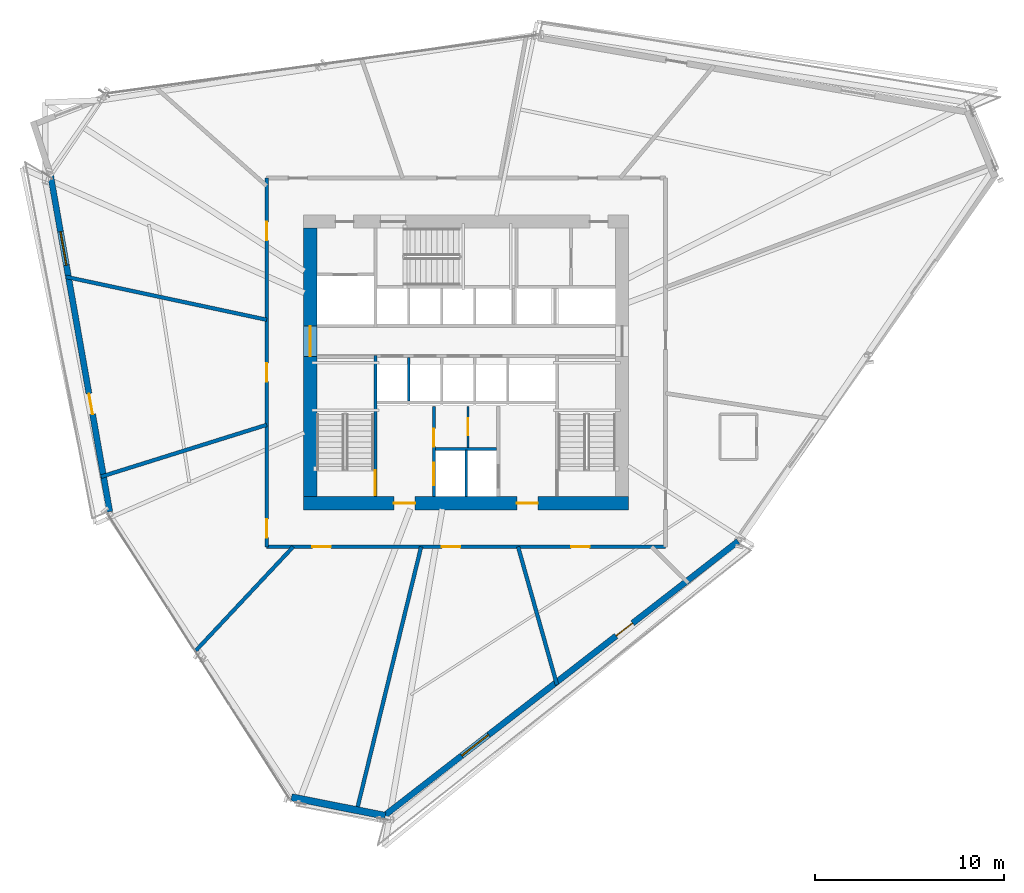
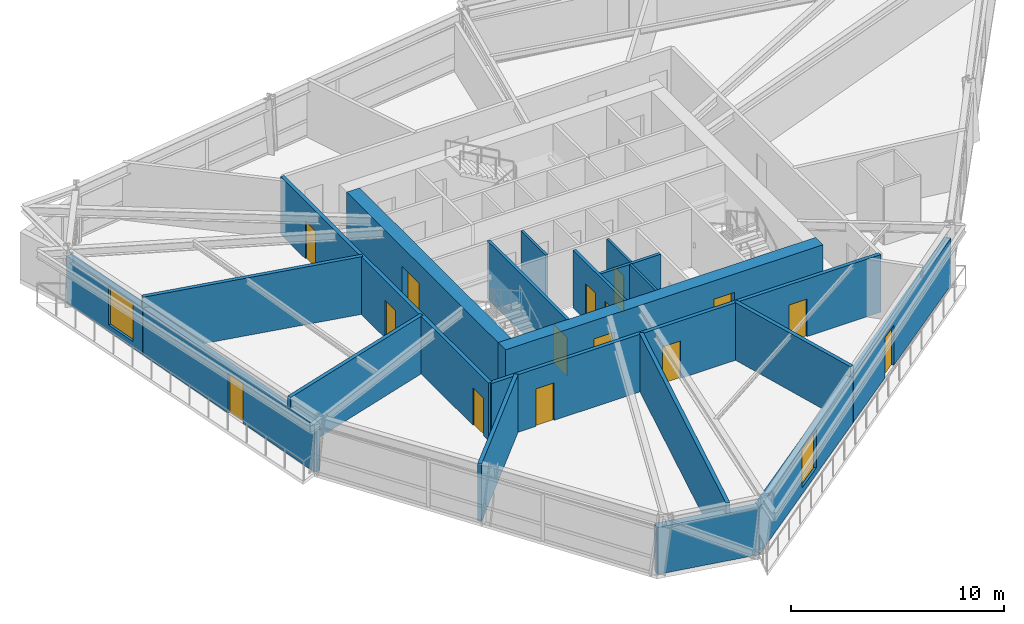
# One storey, part 11 of 16: 18 walls, 15 doors, 2 windows, 17 openings.
"""IFC4 building model written with IfcOpenShell, lengths in metres."""

from ifc_helpers import new_model, si_unit, direction, frame, frame_2d, origin, place, context, subcontext, project, spatial, rectangle, extrude, source, transform, mapped, material, layer, layer_set, type_object, type_shapes, element, fill, save


model = new_model("IFC4")

# Units and contexts
model_context = context("Model", 3, precision=1e-05, world=origin(), true_north=direction((0.0, 1.0)))
body_context = subcontext(model_context, "Body", "Model", "MODEL_VIEW")
ifc_project = project(units=[si_unit("LENGTHUNIT", "METRE"), si_unit("AREAUNIT", "SQUARE_METRE"), si_unit("VOLUMEUNIT", "CUBIC_METRE"), si_unit("PLANEANGLEUNIT", "RADIAN"), si_unit("MASSUNIT", "GRAM", prefix="KILO")], contexts=[model_context])

# Site, building, storey
site_placement = place(None, origin())
site = spatial("IfcSite", under=ifc_project, at=site_placement, CompositionType="ELEMENT")
building_placement = place(site_placement, origin())
building = spatial("IfcBuilding", under=site, at=building_placement, Name="Olszyna Solenne Hotel", CompositionType="ELEMENT")
storey_placement = place(building_placement, frame((0.0, 0.0, 127.0)))
storey = spatial("IfcBuildingStorey", under=building, at=storey_placement, Name="L33", CompositionType="ELEMENT", Elevation=127.0)

# Wall, openings, doors
ifc_material_1 = material(Name="Concrete C60/75", Category="concrete")
ifc_layer_1 = layer(ifc_material_1, 0.699951171875, Name="Concrete C60/75")
ifc_layer_set_1 = layer_set([ifc_layer_1], Name="Concrete C60/75")
wall_type_1 = type_object("IfcWallType", Name="WL-CR700", PredefinedType="SHEAR", material=ifc_layer_set_1)
wall_1_placement = place(storey_placement, frame((46.60009765625, 19.14990234375, 0.0), z_axis=(0.0, 0.0, 1.0), x_axis=(-1.0, 0.0, 0.0)))
wall_1 = element("IfcWall", 1, at=wall_1_placement, inside=storey, type_object=wall_type_1, Name="Core shear wall WL-CR700 CRW-L33-S", PredefinedType="SHEAR", context=body_context, shape_type="SweptSolid", body=[
    extrude(rectangle(XDim=17.2001953125, YDim=0.699951171875, at=frame_2d((8.60009765625, 0.0))), origin(), (0.0, 0.0, 1.0), 3.300048828125),
])
opening_1_placement = place(wall_1_placement, frame((4.800048828125, 0.0, 0.0)))
opening_1 = element("IfcOpeningElement", 2, at=opening_1_placement, cuts=wall_1, Name="Opening FL-L33-1", PredefinedType="OPENING", context=body_context, shape_type="SweptSolid", body=[
    extrude(rectangle(XDim=1.1201171875, YDim=2.25, at=frame_2d((0.56005859375, 1.125))), frame((0.0, 0.35986328125, 0.0), z_axis=(0.0, -1.0, 0.0), x_axis=(1.0, 0.0, 0.0)), (0.0, 0.0, 1.0), 0.719970703125),
])
opening_2_placement = place(wall_1_placement, frame((11.300048828125, 0.0, 0.0)))
opening_2 = element("IfcOpeningElement", 3, at=opening_2_placement, cuts=wall_1, Name="Opening FL-L33-2", PredefinedType="OPENING", context=body_context, shape_type="SweptSolid", body=[
    extrude(rectangle(XDim=1.1201171875, YDim=2.25, at=frame_2d((0.56005859375, 1.125))), frame((0.0, 0.35986328125, 0.0), z_axis=(0.0, -1.0, 0.0), x_axis=(1.0, 0.0, 0.0)), (0.0, 0.0, 1.0), 0.719970703125),
])
ifc_material_2 = material(Name="Steel S355J2", Category="steel")
door_type_1 = type_object("IfcDoorType", Name="DR-FL1", OperationType="NOTDEFINED", PredefinedType="DOOR", material=ifc_material_2)
shared_shape_1 = source(origin(), body_context, "Body", "SweptSolid", [
    extrude(rectangle(XDim=1.1201171875, YDim=2.25, at=frame_2d((0.56005859375, 1.125))), frame((0.0, 0.02490234375, 0.0), z_axis=(0.0, -1.0, 0.0), x_axis=(1.0, 0.0, 0.0)), (0.0, 0.0, 1.0), 0.050048828125),
])
type_shapes(door_type_1, [shared_shape_1])
door_1_placement = place(opening_1_placement, origin())
door_1 = element("IfcDoor", 4, at=door_1_placement, inside=storey, type_object=door_type_1, Name="Firefighting lift lobby smoke door FL-L33-1", OperationType="SINGLE_SWING_LEFT", OverallHeight=2.25, OverallWidth=1.1201171875, PredefinedType="DOOR", context=body_context, shape_type="MappedRepresentation", body=[
    mapped(shared_shape_1, transform((0.0, 0.0, 0.0), x_axis=(1.0, 0.0, 0.0), y_axis=(0.0, 1.0, 0.0), z_axis=(0.0, 0.0, 1.0), scale=1.0)),
])
fill(opening_1, door_1)
door_2_placement = place(opening_2_placement, origin())
door_2 = element("IfcDoor", 5, at=door_2_placement, inside=storey, type_object=door_type_1, Name="Firefighting lift lobby smoke door FL-L33-2", OperationType="SINGLE_SWING_RIGHT", OverallHeight=2.25, OverallWidth=1.1201171875, PredefinedType="DOOR", context=body_context, shape_type="MappedRepresentation", body=[
    mapped(shared_shape_1, transform((0.0, 0.0, 0.0), x_axis=(1.0, 0.0, 0.0), y_axis=(0.0, 1.0, 0.0), z_axis=(0.0, 0.0, 1.0), scale=1.0)),
])
fill(opening_2, door_2)

# Wall, opening, door
wall_2_placement = place(storey_placement, frame((29.75, 19.5, 0.0), z_axis=(0.0, 0.0, 1.0), x_axis=(0.0, 1.0, 0.0)))
wall_2 = element("IfcWall", 6, at=wall_2_placement, inside=storey, type_object=wall_type_1, Name="Core shear wall WL-CR700 CRW-L33-W", PredefinedType="SHEAR", context=body_context, shape_type="SweptSolid", body=[
    extrude(rectangle(XDim=14.199951171875, YDim=0.699951171875, at=frame_2d((7.10009765625, 0.0))), origin(), (0.0, 0.0, 1.0), 3.300048828125),
])
opening_3_placement = place(wall_2_placement, frame((7.419921875, 0.0, 0.0)))
opening_3 = element("IfcOpeningElement", 7, at=opening_3_placement, cuts=wall_2, Name="Opening LHD-L33-W", PredefinedType="OPENING", context=body_context, shape_type="SweptSolid", body=[
    extrude(rectangle(XDim=1.60009765625, YDim=2.199951171875, at=frame_2d((0.800048828125, 1.10009765625))), frame((0.0, 0.35986328125, 0.0), z_axis=(0.0, -1.0, 0.0), x_axis=(1.0, 0.0, 0.0)), (0.0, 0.0, 1.0), 0.719970703125),
])
ifc_material_3 = material(Name="Timber hardwood", Category="wood")
door_type_2 = type_object("IfcDoorType", Name="DR-CR1", OperationType="DOUBLE_DOOR_SINGLE_SWING", PredefinedType="DOOR", material=ifc_material_3)
shared_shape_2 = source(origin(), body_context, "Body", "SweptSolid", [
    extrude(rectangle(XDim=1.60009765625, YDim=2.199951171875, at=frame_2d((0.800048828125, 1.10009765625))), frame((0.0, 0.02490234375, 0.0), z_axis=(0.0, -1.0, 0.0), x_axis=(1.0, 0.0, 0.0)), (0.0, 0.0, 1.0), 0.050048828125),
])
type_shapes(door_type_2, [shared_shape_2])
door_3_placement = place(opening_3_placement, origin())
door_3 = element("IfcDoor", 8, at=door_3_placement, inside=storey, type_object=door_type_2, Name="Passenger lift lobby West fire door LHD-L33-W", OperationType="DOUBLE_DOOR_SINGLE_SWING", OverallHeight=2.199951171875, OverallWidth=1.60009765625, PredefinedType="DOOR", context=body_context, shape_type="MappedRepresentation", body=[
    mapped(shared_shape_2, transform((0.0, 0.0, 0.0), x_axis=(1.0, 0.0, 0.0), y_axis=(0.0, 1.0, 0.0), z_axis=(0.0, 0.0, 1.0), scale=1.0)),
])
fill(opening_3, door_3)

# Wall, openings, door, window
ifc_material_4 = material(Name="Precast concrete C45/55", Category="concrete")
ifc_layer_2 = layer(ifc_material_4, 0.320068359375, Name="Precast concrete C45/55")
ifc_layer_set_2 = layer_set([ifc_layer_2], Name="Precast concrete C45/55")
wall_type_2 = type_object("IfcWallType", Name="WL-EX320", PredefinedType="SOLIDWALL", material=ifc_layer_set_2)
wall_3_placement = place(storey_placement, frame((52.388427734375, 17.13623046875, 0.0), z_axis=(0.0, 0.0, 1.0), x_axis=(-0.790214020135, -0.612830973746, 0.0)))
wall_3 = element("IfcWall", 9, at=wall_3_placement, inside=storey, type_object=wall_type_2, Name="Exterior terracotta-precast frame wall WL-EX320 EW-L33-01", PredefinedType="SOLIDWALL", context=body_context, shape_type="SweptSolid", body=[
    extrude(rectangle(XDim=23.7900390625, YDim=0.320068359375, at=frame_2d((11.89501953125, 0.0))), origin(), (0.0, 0.0, 1.0), 2.69189453125),
])
opening_4_placement = place(wall_3_placement, frame((7.06298828125, 0.0, 0.0)))
opening_4 = element("IfcOpeningElement", 10, at=opening_4_placement, cuts=wall_3, Name="Opening LDG-L33-3", PredefinedType="OPENING", context=body_context, shape_type="SweptSolid", body=[
    extrude(rectangle(XDim=1.10009765625, YDim=2.300048828125, at=frame_2d((0.550048828125, 1.14990234375))), frame((0.0, 0.169921875, 0.0), z_axis=(0.0, -1.0, 0.0), x_axis=(1.0, 0.0, 0.0)), (0.0, 0.0, 1.0), 0.340087890625),
])
opening_5_placement = place(wall_3_placement, frame((16.705078125, 0.0, 0.3720703125)))
opening_5 = element("IfcOpeningElement", 11, at=opening_5_placement, cuts=wall_3, Name="Opening WN-L33-190", PredefinedType="OPENING", context=body_context, shape_type="SweptSolid", body=[
    extrude(rectangle(XDim=1.800048828125, YDim=2.199951171875, at=frame_2d((0.89990234375, 1.10009765625))), frame((0.0, 0.169921875, 0.0), z_axis=(0.0, -1.0, 0.0), x_axis=(1.0, 0.0, 0.0)), (0.0, 0.0, 1.0), 0.340087890625),
])
ifc_material_5 = material(Name="Anodised bronze aluminium", Category="aluminium")
door_type_3 = type_object("IfcDoorType", Name="DR-LG1", OperationType="NOTDEFINED", PredefinedType="DOOR", material=ifc_material_5)
shared_shape_3 = source(origin(), body_context, "Body", "SweptSolid", [
    extrude(rectangle(XDim=1.10009765625, YDim=2.300048828125, at=frame_2d((0.550048828125, 1.14990234375))), frame((0.0, 0.02490234375, 0.0), z_axis=(0.0, -1.0, 0.0), x_axis=(1.0, 0.0, 0.0)), (0.0, 0.0, 1.0), 0.050048828125),
])
type_shapes(door_type_3, [shared_shape_3])
door_4_placement = place(opening_4_placement, origin())
door_4 = element("IfcDoor", 12, at=door_4_placement, inside=storey, type_object=door_type_3, Name="Exterior loggia balcony door DR-LG1 LDG-L33-3", OperationType="SINGLE_SWING_LEFT", OverallHeight=2.300048828125, OverallWidth=1.10009765625, PredefinedType="DOOR", context=body_context, shape_type="MappedRepresentation", body=[
    mapped(shared_shape_3, transform((0.0, 0.0, 0.0), x_axis=(1.0, 0.0, 0.0), y_axis=(0.0, 1.0, 0.0), z_axis=(0.0, 0.0, 1.0), scale=1.0)),
])
fill(opening_4, door_4)
ifc_material_6 = material(Name="Low-E triple glazing", Category="glass")
window_type = type_object("IfcWindowType", Name="WN-HT1", PartitioningType="SINGLE_PANEL", PredefinedType="WINDOW", material=ifc_material_6)
shared_shape_4 = source(origin(), body_context, "Body", "SweptSolid", [
    extrude(rectangle(XDim=1.800048828125, YDim=2.199951171875, at=frame_2d((0.89990234375, 1.10009765625))), frame((0.0, 0.030029296875, 0.0), z_axis=(0.0, -1.0, 0.0), x_axis=(1.0, 0.0, 0.0)), (0.0, 0.0, 1.0), 0.06005859375),
])
type_shapes(window_type, [shared_shape_4])
window_1_placement = place(opening_5_placement, origin())
window_1 = element("IfcWindow", 13, at=window_1_placement, inside=storey, type_object=window_type, Name="Loggia room window WN-HT1 WN-L33-190", OverallHeight=2.199951171875, OverallWidth=1.800048828125, PartitioningType="SINGLE_PANEL", PredefinedType="WINDOW", context=body_context, shape_type="MappedRepresentation", body=[
    mapped(shared_shape_4, transform((0.0, 0.0, 0.0), x_axis=(1.0, 0.0, 0.0), y_axis=(0.0, 1.0, 0.0), z_axis=(0.0, 0.0, 1.0), scale=1.0)),
])
fill(opening_5, window_1)

wall_4_placement = place(storey_placement, frame((19.150390625, 18.702392578125, 0.0), z_axis=(0.0, 0.0, 1.0), x_axis=(-0.173250549445, 0.984877782832, 0.0)))
wall_4 = element("IfcWall", 14, at=wall_4_placement, inside=storey, type_object=wall_type_2, Name="Exterior terracotta-precast frame wall WL-EX320 EW-L33-04", PredefinedType="SOLIDWALL", context=body_context, shape_type="SweptSolid", body=[
    extrude(rectangle(XDim=18.100830078125, YDim=0.320068359375, at=frame_2d((9.05029296875, 0.0))), origin(), (0.0, 0.0, 1.0), 2.69189453125),
])
opening_6_placement = place(wall_4_placement, frame((5.241943359375, 0.0, 0.0)))
opening_6 = element("IfcOpeningElement", 15, at=opening_6_placement, cuts=wall_4, Name="Opening LDG-L33-2", PredefinedType="OPENING", context=body_context, shape_type="SweptSolid", body=[
    extrude(rectangle(XDim=1.10009765625, YDim=2.300048828125, at=frame_2d((0.550048828125, 1.14990234375))), frame((0.0, 0.169921875, 0.0), z_axis=(0.0, -1.0, 0.0), x_axis=(1.0, 0.0, 0.0)), (0.0, 0.0, 1.0), 0.340087890625),
])
opening_7_placement = place(wall_4_placement, frame((13.2451171875, 0.0, 0.3720703125)))
opening_7 = element("IfcOpeningElement", 16, at=opening_7_placement, cuts=wall_4, Name="Opening WN-L33-191", PredefinedType="OPENING", context=body_context, shape_type="SweptSolid", body=[
    extrude(rectangle(XDim=1.800048828125, YDim=2.199951171875, at=frame_2d((0.89990234375, 1.10009765625))), frame((0.0, 0.169921875, 0.0), z_axis=(0.0, -1.0, 0.0), x_axis=(1.0, 0.0, 0.0)), (0.0, 0.0, 1.0), 0.340087890625),
])
door_5_placement = place(opening_6_placement, origin())
door_5 = element("IfcDoor", 17, at=door_5_placement, inside=storey, type_object=door_type_3, Name="Exterior loggia balcony door DR-LG1 LDG-L33-2", OperationType="SINGLE_SWING_RIGHT", OverallHeight=2.300048828125, OverallWidth=1.10009765625, PredefinedType="DOOR", context=body_context, shape_type="MappedRepresentation", body=[
    mapped(shared_shape_3, transform((0.0, 0.0, 0.0), x_axis=(1.0, 0.0, 0.0), y_axis=(0.0, 1.0, 0.0), z_axis=(0.0, 0.0, 1.0), scale=1.0)),
])
fill(opening_6, door_5)
window_2_placement = place(opening_7_placement, origin())
window_2 = element("IfcWindow", 18, at=window_2_placement, inside=storey, type_object=window_type, Name="Loggia room window WN-HT1 WN-L33-191", OverallHeight=2.199951171875, OverallWidth=1.800048828125, PartitioningType="SINGLE_PANEL", PredefinedType="WINDOW", context=body_context, shape_type="MappedRepresentation", body=[
    mapped(shared_shape_4, transform((0.0, 0.0, 0.0), x_axis=(1.0, 0.0, 0.0), y_axis=(0.0, 1.0, 0.0), z_axis=(0.0, 0.0, 1.0), scale=1.0)),
])
fill(opening_7, window_2)

# Walls
ifc_material_7 = material(Name="Terracotta cladding on precast concrete C45/55", Category="masonry")
ifc_layer_3 = layer(ifc_material_7, 0.3798828125, Name="Terracotta cladding on precast concrete C45/55")
ifc_layer_set_3 = layer_set([ifc_layer_3], Name="Terracotta cladding on precast concrete C45/55")
wall_type_3 = type_object("IfcWallType", Name="WL-EX380", PredefinedType="SOLIDWALL", material=ifc_layer_set_3)
wall_5_placement = place(storey_placement, frame((33.72412109375, 2.616943359375, 0.0), z_axis=(0.0, 0.0, 1.0), x_axis=(-0.980957549711, 0.194222258416, 0.0)))
element("IfcWall", 19, at=wall_5_placement, inside=storey, type_object=wall_type_3, Name="Exterior terracotta-precast frame wall WL-EX380 EW-L33-02", PredefinedType="SOLIDWALL", context=body_context, shape_type="SweptSolid", body=[
    extrude(rectangle(XDim=5.058349609375, YDim=0.3798828125, at=frame_2d((2.529296875, 0.0))), origin(), (0.0, 0.0, 1.0), 2.69189453125),
])
ifc_material_8 = material(Name="Acoustic gypsum partition", Category="gypsum")
ifc_layer_4 = layer(ifc_material_8, 0.125, Name="Acoustic gypsum partition")
ifc_layer_set_4 = layer_set([ifc_layer_4], Name="Acoustic gypsum partition")
wall_type_4 = type_object("IfcWallType", Name="WL-PT125", PredefinedType="PARTITIONING", material=ifc_layer_set_4)
wall_6_placement = place(storey_placement, frame((38.0, 19.5, 0.0), z_axis=(0.0, 0.0, 1.0), x_axis=(0.0, 1.0, 0.0)))
element("IfcWall", 20, at=wall_6_placement, inside=storey, type_object=wall_type_4, Name="Core shaft compartment wall CW-L33-FFM", PredefinedType="PARTITIONING", context=body_context, shape_type="SweptSolid", body=[
    extrude(rectangle(XDim=2.4599609375, YDim=0.125, at=frame_2d((1.22998046875, 0.0))), origin(), (0.0, 0.0, 1.0), 3.300048828125),
])

# Wall, opening, door
wall_7_placement = place(storey_placement, frame((38.10009765625, 22.10009765625, 0.0), z_axis=(0.0, 0.0, 1.0), x_axis=(0.0, 1.0, 0.0)))
wall_7 = element("IfcWall", 21, at=wall_7_placement, inside=storey, type_object=wall_type_4, Name="Core shaft compartment wall CW-L33-SC1", PredefinedType="PARTITIONING", context=body_context, shape_type="SweptSolid", body=[
    extrude(rectangle(XDim=2.179931640625, YDim=0.125, at=frame_2d((1.08984375, 0.0))), origin(), (0.0, 0.0, 1.0), 3.300048828125),
])
opening_8_placement = place(wall_7_placement, frame((0.64990234375, 0.0, 0.0)))
opening_8 = element("IfcOpeningElement", 22, at=opening_8_placement, cuts=wall_7, Name="Opening SVD-L33-SC1", PredefinedType="OPENING", context=body_context, shape_type="SweptSolid", body=[
    extrude(rectangle(XDim=0.89990234375, YDim=2.10009765625, at=frame_2d((0.449951171875, 1.050048828125))), frame((0.0, 0.072509765625, 0.0), z_axis=(0.0, -1.0, 0.0), x_axis=(1.0, 0.0, 0.0)), (0.0, 0.0, 1.0), 0.14501953125),
])
door_type_4 = type_object("IfcDoorType", Name="DR-WC1", OperationType="NOTDEFINED", PredefinedType="DOOR", material=ifc_material_3)
shared_shape_5 = source(origin(), body_context, "Body", "SweptSolid", [
    extrude(rectangle(XDim=0.89990234375, YDim=2.10009765625, at=frame_2d((0.449951171875, 1.050048828125))), frame((0.0, 0.02490234375, 0.0), z_axis=(0.0, -1.0, 0.0), x_axis=(1.0, 0.0, 0.0)), (0.0, 0.0, 1.0), 0.050048828125),
])
type_shapes(door_type_4, [shared_shape_5])
door_6_placement = place(opening_8_placement, origin())
door_6 = element("IfcDoor", 23, at=door_6_placement, inside=storey, type_object=door_type_4, Name="Pantry locker door SVD-L33-SC1", OperationType="SINGLE_SWING_LEFT", OverallHeight=2.10009765625, OverallWidth=0.89990234375, PredefinedType="DOOR", context=body_context, shape_type="MappedRepresentation", body=[
    mapped(shared_shape_5, transform((0.0, 0.0, 0.0), x_axis=(1.0, 0.0, 0.0), y_axis=(0.0, 1.0, 0.0), z_axis=(0.0, 0.0, 1.0), scale=1.0)),
])
fill(opening_8, door_6)

# Wall
wall_8_placement = place(storey_placement, frame((34.965087890625, 24.56005859375, 0.0), z_axis=(0.0, 0.0, 1.0), x_axis=(0.0, 1.0, 0.0)))
element("IfcWall", 24, at=wall_8_placement, inside=storey, type_object=wall_type_4, Name="Core shaft compartment wall CW-L33-DIVS349", PredefinedType="PARTITIONING", context=body_context, shape_type="SweptSolid", body=[
    extrude(rectangle(XDim=2.31005859375, YDim=0.125, at=frame_2d((1.155029296875, 0.0))), origin(), (0.0, 0.0, 1.0), 3.300048828125),
])

# Wall, opening, door
ifc_layer_5 = layer(ifc_material_8, 0.159912109375, Name="Acoustic gypsum partition")
ifc_layer_set_5 = layer_set([ifc_layer_5], Name="Acoustic gypsum partition")
wall_type_5 = type_object("IfcWallType", Name="WL-PT160", PredefinedType="PARTITIONING", material=ifc_layer_set_5)
wall_9_placement = place(storey_placement, frame((33.199951171875, 19.5, 0.0), z_axis=(0.0, 0.0, 1.0), x_axis=(0.0, 1.0, 0.0)))
wall_9 = element("IfcWall", 25, at=wall_9_placement, inside=storey, type_object=wall_type_5, Name="Core shaft compartment wall CW-L33-ST1E", PredefinedType="PARTITIONING", context=body_context, shape_type="SweptSolid", body=[
    extrude(rectangle(XDim=7.4599609375, YDim=0.159912109375, at=frame_2d((3.72998046875, 0.0))), origin(), (0.0, 0.0, 1.0), 3.300048828125),
])
opening_9_placement = place(wall_9_placement, frame((0.080078125, 0.0, 0.0)))
opening_9 = element("IfcOpeningElement", 26, at=opening_9_placement, cuts=wall_9, Name="Opening STD-L33-01", PredefinedType="OPENING", context=body_context, shape_type="SweptSolid", body=[
    extrude(rectangle(XDim=1.320068359375, YDim=2.199951171875, at=frame_2d((0.66015625, 1.10009765625))), frame((0.0, 0.08984375, 0.0), z_axis=(0.0, -1.0, 0.0), x_axis=(1.0, 0.0, 0.0)), (0.0, 0.0, 1.0), 0.179931640625),
])
door_type_5 = type_object("IfcDoorType", Name="DR-ST1", OperationType="NOTDEFINED", PredefinedType="DOOR", material=ifc_material_2)
shared_shape_6 = source(origin(), body_context, "Body", "SweptSolid", [
    extrude(rectangle(XDim=1.320068359375, YDim=2.199951171875, at=frame_2d((0.66015625, 1.10009765625))), frame((0.0, 0.02490234375, 0.0), z_axis=(0.0, -1.0, 0.0), x_axis=(1.0, 0.0, 0.0)), (0.0, 0.0, 1.0), 0.050048828125),
])
type_shapes(door_type_5, [shared_shape_6])
door_7_placement = place(opening_9_placement, origin())
door_7 = element("IfcDoor", 27, at=door_7_placement, inside=storey, type_object=door_type_5, Name="Pressurised exit stair ST1 fire door STD-L33-01", OperationType="SINGLE_SWING_LEFT", OverallHeight=2.199951171875, OverallWidth=1.320068359375, PredefinedType="DOOR", context=body_context, shape_type="MappedRepresentation", body=[
    mapped(shared_shape_6, transform((0.0, 0.0, 0.0), x_axis=(1.0, 0.0, 0.0), y_axis=(0.0, 1.0, 0.0), z_axis=(0.0, 0.0, 1.0), scale=1.0)),
])
fill(opening_9, door_7)

# Wall, openings, doors
wall_10_placement = place(storey_placement, frame((36.300048828125, 19.5, 0.0), z_axis=(0.0, 0.0, 1.0), x_axis=(0.0, 1.0, 0.0)))
wall_10 = element("IfcWall", 28, at=wall_10_placement, inside=storey, type_object=wall_type_5, Name="Core shaft compartment wall CW-L33-FF1W", PredefinedType="PARTITIONING", context=body_context, shape_type="SweptSolid", body=[
    extrude(rectangle(XDim=4.780029296875, YDim=0.159912109375, at=frame_2d((2.39013671875, 0.0))), origin(), (0.0, 0.0, 1.0), 3.300048828125),
])
opening_10_placement = place(wall_10_placement, frame((0.60009765625, 0.0, 0.0)))
opening_10 = element("IfcOpeningElement", 29, at=opening_10_placement, cuts=wall_10, Name="Opening LD-L33-FF1", PredefinedType="OPENING", context=body_context, shape_type="SweptSolid", body=[
    extrude(rectangle(XDim=1.199951171875, YDim=2.199951171875, at=frame_2d((0.60009765625, 1.10009765625))), frame((0.0, 0.08984375, 0.0), z_axis=(0.0, -1.0, 0.0), x_axis=(1.0, 0.0, 0.0)), (0.0, 0.0, 1.0), 0.179931640625),
])
opening_11_placement = place(wall_10_placement, frame((2.64990234375, 0.0, 0.0)))
opening_11 = element("IfcOpeningElement", 30, at=opening_11_placement, cuts=wall_10, Name="Opening SVD-L33-SMK", PredefinedType="OPENING", context=body_context, shape_type="SweptSolid", body=[
    extrude(rectangle(XDim=0.949951171875, YDim=2.10009765625, at=frame_2d((0.47509765625, 1.050048828125))), frame((0.0, 0.08984375, 0.0), z_axis=(0.0, -1.0, 0.0), x_axis=(1.0, 0.0, 0.0)), (0.0, 0.0, 1.0), 0.179931640625),
])
door_type_6 = type_object("IfcDoorType", Name="DR-SV1", OperationType="NOTDEFINED", PredefinedType="DOOR", material=ifc_material_2)
shared_shape_7 = source(origin(), body_context, "Body", "SweptSolid", [
    extrude(rectangle(XDim=0.949951171875, YDim=2.10009765625, at=frame_2d((0.47509765625, 1.050048828125))), frame((0.0, 0.02490234375, 0.0), z_axis=(0.0, -1.0, 0.0), x_axis=(1.0, 0.0, 0.0)), (0.0, 0.0, 1.0), 0.050048828125),
])
type_shapes(door_type_6, [shared_shape_7])
door_8_placement = place(opening_11_placement, origin())
door_8 = element("IfcDoor", 31, at=door_8_placement, inside=storey, type_object=door_type_6, Name="Valet and core service room door SVD-L33-SMK", OperationType="SINGLE_SWING_LEFT", OverallHeight=2.10009765625, OverallWidth=0.949951171875, PredefinedType="DOOR", context=body_context, shape_type="MappedRepresentation", body=[
    mapped(shared_shape_7, transform((0.0, 0.0, 0.0), x_axis=(1.0, 0.0, 0.0), y_axis=(0.0, 1.0, 0.0), z_axis=(0.0, 0.0, 1.0), scale=1.0)),
])
fill(opening_11, door_8)
door_type_7 = type_object("IfcDoorType", Name="LD-FF1", OperationType="DOUBLE_DOOR_SLIDING", PredefinedType="DOOR", material=ifc_material_2)
shared_shape_8 = source(origin(), body_context, "Body", "SweptSolid", [
    extrude(rectangle(XDim=1.199951171875, YDim=2.199951171875, at=frame_2d((0.60009765625, 1.10009765625))), frame((0.0, 0.02490234375, 0.0), z_axis=(0.0, -1.0, 0.0), x_axis=(1.0, 0.0, 0.0)), (0.0, 0.0, 1.0), 0.050048828125),
])
type_shapes(door_type_7, [shared_shape_8])
door_9_placement = place(opening_10_placement, origin())
door_9 = element("IfcDoor", 32, at=door_9_placement, inside=storey, type_object=door_type_7, Name="Firefighters lift FF1 sliding landing door LD-L33-FF1", OperationType="DOUBLE_DOOR_SLIDING", OverallHeight=2.199951171875, OverallWidth=1.199951171875, PredefinedType="DOOR", context=body_context, shape_type="MappedRepresentation", body=[
    mapped(shared_shape_8, transform((0.0, 0.0, 0.0), x_axis=(1.0, 0.0, 0.0), y_axis=(0.0, 1.0, 0.0), z_axis=(0.0, 0.0, 1.0), scale=1.0)),
])
fill(opening_10, door_9)

# Walls
wall_11_placement = place(storey_placement, frame((36.3798828125, 22.02001953125, 0.0), z_axis=(0.0, 0.0, 1.0), x_axis=(1.0, 0.0, 0.0)))
element("IfcWall", 33, at=wall_11_placement, inside=storey, type_object=wall_type_5, Name="Core shaft compartment wall CW-L33-FFN", PredefinedType="PARTITIONING", context=body_context, shape_type="SweptSolid", body=[
    extrude(rectangle(XDim=3.240234375, YDim=0.159912109375, at=frame_2d((1.6201171875, 0.0))), origin(), (0.0, 0.0, 1.0), 3.300048828125),
])
ifc_layer_6 = layer(ifc_material_8, 0.199951171875, Name="Acoustic gypsum partition")
ifc_layer_set_6 = layer_set([ifc_layer_6], Name="Acoustic gypsum partition")
wall_type_6 = type_object("IfcWallType", Name="WL-PT200", PredefinedType="PARTITIONING", material=ifc_layer_set_6)
wall_12_placement = place(storey_placement, frame((27.449951171875, 28.8564453125, 0.0), z_axis=(0.0, 0.0, 1.0), x_axis=(-0.977884605694, 0.209145159988, 0.0)))
element("IfcWall", 34, at=wall_12_placement, inside=storey, type_object=wall_type_6, Name="Interior acoustic partition WL-PT200 PW-L33-1919", PredefinedType="PARTITIONING", context=body_context, shape_type="SweptSolid", body=[
    extrude(rectangle(XDim=10.857421875, YDim=0.199951171875, at=frame_2d((5.4287109375, 0.0))), origin(), (0.0, 0.0, 1.0), 3.300048828125),
])
wall_13_placement = place(storey_placement, frame((27.449951171875, 23.297607421875, 0.0), z_axis=(0.0, 0.0, 1.0), x_axis=(-0.954328374734, -0.298759691354, 0.0)))
element("IfcWall", 35, at=wall_13_placement, inside=storey, type_object=wall_type_6, Name="Interior acoustic partition WL-PT200 PW-L33-1920", PredefinedType="PARTITIONING", context=body_context, shape_type="SweptSolid", body=[
    extrude(rectangle(XDim=9.177001953125, YDim=0.199951171875, at=frame_2d((4.58837890625, 0.0))), origin(), (0.0, 0.0, 1.0), 3.300048828125),
])
wall_14_placement = place(storey_placement, frame((28.855712890625, 16.85009765625, 0.0), z_axis=(0.0, 0.0, 1.0), x_axis=(-0.684090850855, -0.729396810917, 0.0)))
element("IfcWall", 36, at=wall_14_placement, inside=storey, type_object=wall_type_6, Name="Interior acoustic partition WL-PT200 PW-L33-1921", PredefinedType="PARTITIONING", context=body_context, shape_type="SweptSolid", body=[
    extrude(rectangle(XDim=7.538818359375, YDim=0.199951171875, at=frame_2d((3.76953125, 0.0))), origin(), (0.0, 0.0, 1.0), 3.300048828125),
])
wall_15_placement = place(storey_placement, frame((35.62158203125, 16.85009765625, 0.0), z_axis=(0.0, 0.0, 1.0), x_axis=(-0.236994928631, -0.971510887125, 0.0)))
element("IfcWall", 37, at=wall_15_placement, inside=storey, type_object=wall_type_6, Name="Interior acoustic partition WL-PT200 PW-L33-1922", PredefinedType="PARTITIONING", context=body_context, shape_type="SweptSolid", body=[
    extrude(rectangle(XDim=14.504638671875, YDim=0.199951171875, at=frame_2d((7.25244140625, 0.0))), origin(), (0.0, 0.0, 1.0), 3.300048828125),
])
wall_16_placement = place(storey_placement, frame((40.748779296875, 16.85009765625, 0.0), z_axis=(0.0, 0.0, 1.0), x_axis=(0.271368511956, -0.96247552214, 0.0)))
element("IfcWall", 38, at=wall_16_placement, inside=storey, type_object=wall_type_6, Name="Interior acoustic partition WL-PT200 PW-L33-1923", PredefinedType="PARTITIONING", context=body_context, shape_type="SweptSolid", body=[
    extrude(rectangle(XDim=7.59228515625, YDim=0.199951171875, at=frame_2d((3.796142578125, 0.0))), origin(), (0.0, 0.0, 1.0), 3.300048828125),
])

# Wall, openings, doors
wall_17_placement = place(storey_placement, frame((27.449951171875, 16.85009765625, 0.0), z_axis=(0.0, 0.0, 1.0), x_axis=(1.0, 0.0, 0.0)))
wall_17 = element("IfcWall", 39, at=wall_17_placement, inside=storey, type_object=wall_type_6, Name="Interior acoustic partition WL-PT200 PW-L33-1929", PredefinedType="PARTITIONING", context=body_context, shape_type="SweptSolid", body=[
    extrude(rectangle(XDim=21.10009765625, YDim=0.199951171875, at=frame_2d((10.550048828125, 0.0))), origin(), (0.0, 0.0, 1.0), 3.300048828125),
])
opening_12_placement = place(wall_17_placement, frame((2.412109375, 0.0, 0.0)))
opening_12 = element("IfcOpeningElement", 40, at=opening_12_placement, cuts=wall_17, Name="Opening DR-L33-0459", PredefinedType="OPENING", context=body_context, shape_type="SweptSolid", body=[
    extrude(rectangle(XDim=0.97998046875, YDim=2.14990234375, at=frame_2d((0.489990234375, 1.074951171875))), frame((0.0, 0.10986328125, 0.0), z_axis=(0.0, -1.0, 0.0), x_axis=(1.0, 0.0, 0.0)), (0.0, 0.0, 1.0), 0.219970703125),
])
opening_13_placement = place(wall_17_placement, frame((9.26904296875, 0.0, 0.0)))
opening_13 = element("IfcOpeningElement", 41, at=opening_13_placement, cuts=wall_17, Name="Opening DR-L33-0460", PredefinedType="OPENING", context=body_context, shape_type="SweptSolid", body=[
    extrude(rectangle(XDim=0.97998046875, YDim=2.14990234375, at=frame_2d((0.489990234375, 1.074951171875))), frame((0.0, 0.10986328125, 0.0), z_axis=(0.0, -1.0, 0.0), x_axis=(1.0, 0.0, 0.0)), (0.0, 0.0, 1.0), 0.219970703125),
])
opening_14_placement = place(wall_17_placement, frame((16.10888671875, 0.0, 0.0)))
opening_14 = element("IfcOpeningElement", 42, at=opening_14_placement, cuts=wall_17, Name="Opening DR-L33-0461", PredefinedType="OPENING", context=body_context, shape_type="SweptSolid", body=[
    extrude(rectangle(XDim=0.97998046875, YDim=2.14990234375, at=frame_2d((0.489990234375, 1.074951171875))), frame((0.0, 0.10986328125, 0.0), z_axis=(0.0, -1.0, 0.0), x_axis=(1.0, 0.0, 0.0)), (0.0, 0.0, 1.0), 0.219970703125),
])
door_type_8 = type_object("IfcDoorType", Name="DR-RM1", OperationType="NOTDEFINED", PredefinedType="DOOR", material=ifc_material_3)
shared_shape_9 = source(origin(), body_context, "Body", "SweptSolid", [
    extrude(rectangle(XDim=0.97998046875, YDim=2.14990234375, at=frame_2d((0.489990234375, 1.074951171875))), frame((0.0, 0.02490234375, 0.0), z_axis=(0.0, -1.0, 0.0), x_axis=(1.0, 0.0, 0.0)), (0.0, 0.0, 1.0), 0.050048828125),
])
type_shapes(door_type_8, [shared_shape_9])
door_10_placement = place(opening_12_placement, origin())
door_10 = element("IfcDoor", 43, at=door_10_placement, inside=storey, type_object=door_type_8, Name="Private Business Office Entrance Door DR-L33-0459", OperationType="SINGLE_SWING_RIGHT", OverallHeight=2.14990234375, OverallWidth=0.97998046875, PredefinedType="DOOR", context=body_context, shape_type="MappedRepresentation", body=[
    mapped(shared_shape_9, transform((0.0, 0.0, 0.0), x_axis=(1.0, 0.0, 0.0), y_axis=(0.0, 1.0, 0.0), z_axis=(0.0, 0.0, 1.0), scale=1.0)),
])
fill(opening_12, door_10)
door_11_placement = place(opening_13_placement, origin())
door_11 = element("IfcDoor", 44, at=door_11_placement, inside=storey, type_object=door_type_8, Name="Private Business Office Entrance Door DR-L33-0460", OperationType="SINGLE_SWING_LEFT", OverallHeight=2.14990234375, OverallWidth=0.97998046875, PredefinedType="DOOR", context=body_context, shape_type="MappedRepresentation", body=[
    mapped(shared_shape_9, transform((0.0, 0.0, 0.0), x_axis=(1.0, 0.0, 0.0), y_axis=(0.0, 1.0, 0.0), z_axis=(0.0, 0.0, 1.0), scale=1.0)),
])
fill(opening_13, door_11)
door_12_placement = place(opening_14_placement, origin())
door_12 = element("IfcDoor", 45, at=door_12_placement, inside=storey, type_object=door_type_8, Name="Private Business Office Entrance Door DR-L33-0461", OperationType="SINGLE_SWING_RIGHT", OverallHeight=2.14990234375, OverallWidth=0.97998046875, PredefinedType="DOOR", context=body_context, shape_type="MappedRepresentation", body=[
    mapped(shared_shape_9, transform((0.0, 0.0, 0.0), x_axis=(1.0, 0.0, 0.0), y_axis=(0.0, 1.0, 0.0), z_axis=(0.0, 0.0, 1.0), scale=1.0)),
])
fill(opening_14, door_12)

wall_18_placement = place(storey_placement, frame((27.449951171875, 16.85009765625, 0.0), z_axis=(0.0, 0.0, 1.0), x_axis=(0.0, 1.0, 0.0)))
wall_18 = element("IfcWall", 46, at=wall_18_placement, inside=storey, type_object=wall_type_6, Name="Interior acoustic partition WL-PT200 PW-L33-1930", PredefinedType="PARTITIONING", context=body_context, shape_type="SweptSolid", body=[
    extrude(rectangle(XDim=19.5, YDim=0.199951171875, at=frame_2d((9.75, 0.0))), origin(), (0.0, 0.0, 1.0), 3.300048828125),
])
opening_15_placement = place(wall_18_placement, frame((16.2041015625, 0.0, 0.0)))
opening_15 = element("IfcOpeningElement", 47, at=opening_15_placement, cuts=wall_18, Name="Opening DR-L33-0462", PredefinedType="OPENING", context=body_context, shape_type="SweptSolid", body=[
    extrude(rectangle(XDim=0.97998046875, YDim=2.14990234375, at=frame_2d((0.489990234375, 1.074951171875))), frame((0.0, 0.10986328125, 0.0), z_axis=(0.0, -1.0, 0.0), x_axis=(1.0, 0.0, 0.0)), (0.0, 0.0, 1.0), 0.219970703125),
])
opening_16_placement = place(wall_18_placement, frame((8.73193359375, 0.0, 0.0)))
opening_16 = element("IfcOpeningElement", 48, at=opening_16_placement, cuts=wall_18, Name="Opening DR-L33-0463", PredefinedType="OPENING", context=body_context, shape_type="SweptSolid", body=[
    extrude(rectangle(XDim=0.97998046875, YDim=2.14990234375, at=frame_2d((0.489990234375, 1.074951171875))), frame((0.0, 0.10986328125, 0.0), z_axis=(0.0, -1.0, 0.0), x_axis=(1.0, 0.0, 0.0)), (0.0, 0.0, 1.0), 0.219970703125),
])
opening_17_placement = place(wall_18_placement, frame((0.485107421875, 0.0, 0.0)))
opening_17 = element("IfcOpeningElement", 49, at=opening_17_placement, cuts=wall_18, Name="Opening DR-L33-0464", PredefinedType="OPENING", context=body_context, shape_type="SweptSolid", body=[
    extrude(rectangle(XDim=0.97998046875, YDim=2.14990234375, at=frame_2d((0.489990234375, 1.074951171875))), frame((0.0, 0.10986328125, 0.0), z_axis=(0.0, -1.0, 0.0), x_axis=(1.0, 0.0, 0.0)), (0.0, 0.0, 1.0), 0.219970703125),
])
door_13_placement = place(opening_15_placement, origin())
door_13 = element("IfcDoor", 50, at=door_13_placement, inside=storey, type_object=door_type_8, Name="Private Business Office Entrance Door DR-L33-0462", OperationType="SINGLE_SWING_LEFT", OverallHeight=2.14990234375, OverallWidth=0.97998046875, PredefinedType="DOOR", context=body_context, shape_type="MappedRepresentation", body=[
    mapped(shared_shape_9, transform((0.0, 0.0, 0.0), x_axis=(1.0, 0.0, 0.0), y_axis=(0.0, 1.0, 0.0), z_axis=(0.0, 0.0, 1.0), scale=1.0)),
])
fill(opening_15, door_13)
door_14_placement = place(opening_16_placement, origin())
door_14 = element("IfcDoor", 51, at=door_14_placement, inside=storey, type_object=door_type_8, Name="Private Business Office Entrance Door DR-L33-0463", OperationType="SINGLE_SWING_RIGHT", OverallHeight=2.14990234375, OverallWidth=0.97998046875, PredefinedType="DOOR", context=body_context, shape_type="MappedRepresentation", body=[
    mapped(shared_shape_9, transform((0.0, 0.0, 0.0), x_axis=(1.0, 0.0, 0.0), y_axis=(0.0, 1.0, 0.0), z_axis=(0.0, 0.0, 1.0), scale=1.0)),
])
fill(opening_16, door_14)
door_15_placement = place(opening_17_placement, origin())
door_15 = element("IfcDoor", 52, at=door_15_placement, inside=storey, type_object=door_type_8, Name="Private Business Office Entrance Door DR-L33-0464", OperationType="SINGLE_SWING_LEFT", OverallHeight=2.14990234375, OverallWidth=0.97998046875, PredefinedType="DOOR", context=body_context, shape_type="MappedRepresentation", body=[
    mapped(shared_shape_9, transform((0.0, 0.0, 0.0), x_axis=(1.0, 0.0, 0.0), y_axis=(0.0, 1.0, 0.0), z_axis=(0.0, 0.0, 1.0), scale=1.0)),
])
fill(opening_17, door_15)

save(model, "model.ifc")
